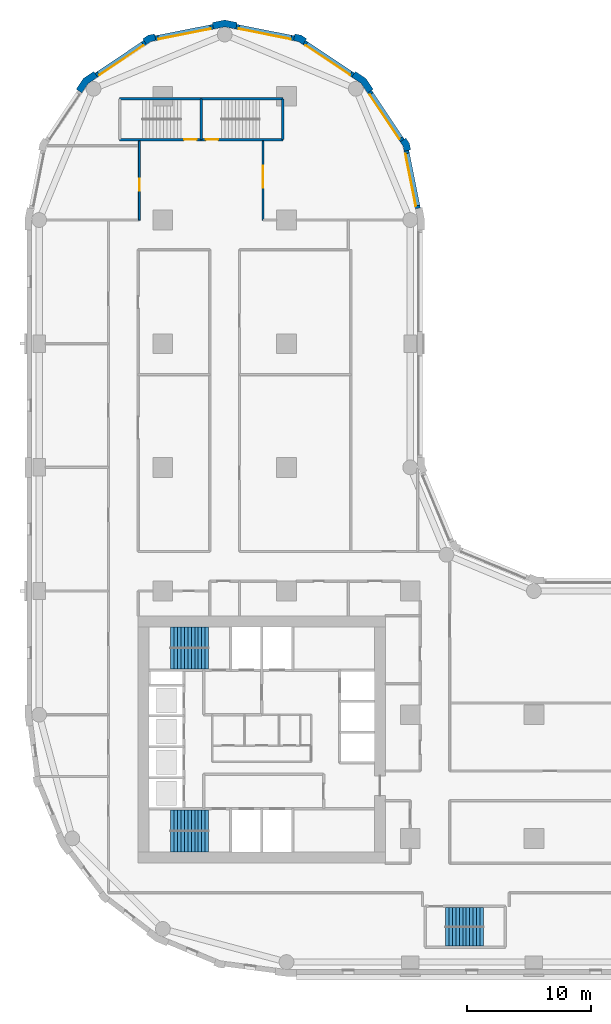
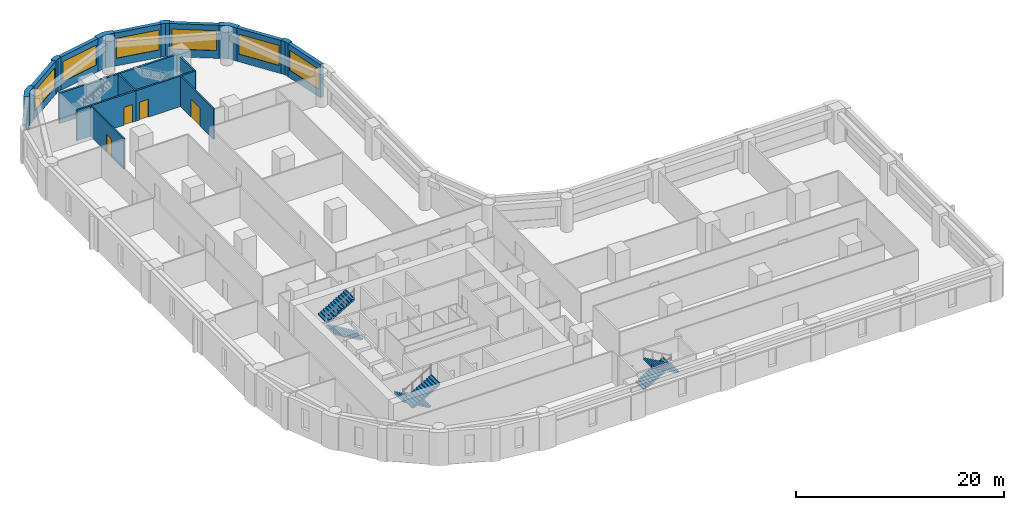
# One storey, part 7 of 10: 20 walls, 6 stair flights, 6 windows, 4 doors, 10 openings, 3 elements without a shape of their own.
"""IFC4 building model written with IfcOpenShell, lengths in metres."""

from ifc_helpers import new_model, si_unit, direction, frame, frame_2d, origin, place, context, subcontext, project, spatial, polyline, rectangle, outline, extrude, material, layer, layer_set, type_object, element, fill, aggregate, save


model = new_model("IFC4")

# Units and contexts
model_context = context("Model", 3, precision=1e-05, world=origin(), true_north=direction((0.0, 1.0)))
body_context = subcontext(model_context, "Body", "Model", "MODEL_VIEW")
ifc_project = project(units=[si_unit("LENGTHUNIT", "METRE"), si_unit("AREAUNIT", "SQUARE_METRE"), si_unit("VOLUMEUNIT", "CUBIC_METRE"), si_unit("PLANEANGLEUNIT", "RADIAN"), si_unit("MASSUNIT", "GRAM", prefix="KILO")], contexts=[model_context])

# Site, building, storey
site_placement = place(None, origin())
site = spatial("IfcSite", under=ifc_project, at=site_placement, CompositionType="ELEMENT")
building_placement = place(site_placement, origin())
building = spatial("IfcBuilding", under=site, at=building_placement, Name="Qaws Garden Tower", CompositionType="ELEMENT")
storey_placement = place(building_placement, frame((0.0, 0.0, 15.89990234375)))
storey = spatial("IfcBuildingStorey", under=building, at=storey_placement, Name="L03", CompositionType="ELEMENT", Elevation=15.89990234375)

# Wall, opening, window
ifc_material_1 = material(Name="Clay facing brick masonry", Category="masonry")
ifc_layer_1 = layer(ifc_material_1, 0.39990234375)
ifc_layer_set_1 = layer_set([ifc_layer_1], Name="Clay facing brick masonry")
wall_type_1 = type_object("IfcWallType", Name="Brick infill wall 400", PredefinedType="SOLIDWALL", material=ifc_layer_set_1)
wall_1_placement = place(storey_placement, frame((30.628662109375, 60.940673828125, 0.0), z_axis=(0.0, 0.0, 1.0), x_axis=(-0.195098533057, 0.98078364709, 0.0)))
wall_1 = element("IfcWall", 1, at=wall_1_placement, inside=storey, type_object=wall_type_1, Name="E-L03-infill-15", PredefinedType="SOLIDWALL", context=body_context, shape_type="SweptSolid", body=[
    extrude(rectangle(XDim=4.752685546875, YDim=0.39990234375, at=frame_2d((2.37646484375, 0.0))), origin(), (0.0, 0.0, 1.0), 3.900146484375),
])
opening_1_placement = place(wall_1_placement, frame((0.226318359375, 0.0, 0.89990234375)))
opening_1 = element("IfcOpeningElement", 2, at=opening_1_placement, cuts=wall_1, Name="Opening W06", PredefinedType="OPENING", context=body_context, shape_type="SweptSolid", body=[
    extrude(rectangle(XDim=4.300048828125, YDim=2.35009765625, at=frame_2d((2.14990234375, 1.175048828125))), frame((0.0, 0.2099609375, 0.0), z_axis=(0.0, -1.0, 0.0), x_axis=(1.0, 0.0, 0.0)), (0.0, 0.0, 1.0), 0.419921875),
])
ifc_material_2 = material(Name="Aluminium framed window, clear glazing", Category="aluminium")
window_type = type_object("IfcWindowType", Name="Ribbon window 4300 x 2350", PartitioningType="DOUBLE_PANEL_VERTICAL", PredefinedType="WINDOW", material=ifc_material_2)
window_1_placement = place(opening_1_placement, origin())
window_1 = element("IfcWindow", 3, at=window_1_placement, inside=storey, type_object=window_type, Name="E-L03-window-15-0", OverallHeight=2.35009765625, OverallWidth=4.300048828125, PartitioningType="SINGLE_PANEL", PredefinedType="WINDOW", context=body_context, shape_type="SweptSolid", body=[
    extrude(rectangle(XDim=4.300048828125, YDim=2.35009765625, at=frame_2d((2.14990234375, 1.175048828125))), frame((0.0, 0.159912109375, 0.0), z_axis=(0.0, -1.0, 0.0), x_axis=(1.0, 0.0, 0.0)), (0.0, 0.0, 1.0), 0.06005859375),
])
fill(opening_1, window_1)

wall_2_placement = place(storey_placement, frame((29.356689453125, 66.43408203125, 0.0), z_axis=(0.0, 0.0, 1.0), x_axis=(-0.555541552266, 0.831488775454, 0.0)))
wall_2 = element("IfcWall", 4, at=wall_2_placement, inside=storey, type_object=wall_type_1, Name="E-L03-infill-16", PredefinedType="SOLIDWALL", context=body_context, shape_type="SweptSolid", body=[
    extrude(rectangle(XDim=4.752685546875, YDim=0.39990234375, at=frame_2d((2.37646484375, 0.0))), origin(), (0.0, 0.0, 1.0), 3.900146484375),
])
opening_2_placement = place(wall_2_placement, frame((0.226318359375, 0.0, 0.89990234375)))
opening_2 = element("IfcOpeningElement", 5, at=opening_2_placement, cuts=wall_2, Name="Opening W06", PredefinedType="OPENING", context=body_context, shape_type="SweptSolid", body=[
    extrude(rectangle(XDim=4.300048828125, YDim=2.35009765625, at=frame_2d((2.14990234375, 1.175048828125))), frame((0.0, 0.2099609375, 0.0), z_axis=(0.0, -1.0, 0.0), x_axis=(1.0, 0.0, 0.0)), (0.0, 0.0, 1.0), 0.419921875),
])
window_2_placement = place(opening_2_placement, origin())
window_2 = element("IfcWindow", 6, at=window_2_placement, inside=storey, type_object=window_type, Name="E-L03-window-16-0", OverallHeight=2.35009765625, OverallWidth=4.300048828125, PartitioningType="SINGLE_PANEL", PredefinedType="WINDOW", context=body_context, shape_type="SweptSolid", body=[
    extrude(rectangle(XDim=4.300048828125, YDim=2.35009765625, at=frame_2d((2.14990234375, 1.175048828125))), frame((0.0, 0.159912109375, 0.0), z_axis=(0.0, -1.0, 0.0), x_axis=(1.0, 0.0, 0.0)), (0.0, 0.0, 1.0), 0.06005859375),
])
fill(opening_2, window_2)

wall_3_placement = place(storey_placement, frame((25.385986328125, 71.71630859375, 0.0), z_axis=(0.0, 0.0, 1.0), x_axis=(-0.831488775454, 0.555541552266, 0.0)))
wall_3 = element("IfcWall", 7, at=wall_3_placement, inside=storey, type_object=wall_type_1, Name="E-L03-infill-17", PredefinedType="SOLIDWALL", context=body_context, shape_type="SweptSolid", body=[
    extrude(rectangle(XDim=4.752685546875, YDim=0.39990234375, at=frame_2d((2.37646484375, 0.0))), origin(), (0.0, 0.0, 1.0), 3.900146484375),
])
opening_3_placement = place(wall_3_placement, frame((0.226318359375, 0.0, 0.89990234375)))
opening_3 = element("IfcOpeningElement", 8, at=opening_3_placement, cuts=wall_3, Name="Opening W06", PredefinedType="OPENING", context=body_context, shape_type="SweptSolid", body=[
    extrude(rectangle(XDim=4.300048828125, YDim=2.35009765625, at=frame_2d((2.14990234375, 1.175048828125))), frame((0.0, 0.2099609375, 0.0), z_axis=(0.0, -1.0, 0.0), x_axis=(1.0, 0.0, 0.0)), (0.0, 0.0, 1.0), 0.419921875),
])
window_3_placement = place(opening_3_placement, origin())
window_3 = element("IfcWindow", 9, at=window_3_placement, inside=storey, type_object=window_type, Name="E-L03-window-17-0", OverallHeight=2.35009765625, OverallWidth=4.300048828125, PartitioningType="SINGLE_PANEL", PredefinedType="WINDOW", context=body_context, shape_type="SweptSolid", body=[
    extrude(rectangle(XDim=4.300048828125, YDim=2.35009765625, at=frame_2d((2.14990234375, 1.175048828125))), frame((0.0, 0.159912109375, 0.0), z_axis=(0.0, -1.0, 0.0), x_axis=(1.0, 0.0, 0.0)), (0.0, 0.0, 1.0), 0.06005859375),
])
fill(opening_3, window_3)

wall_4_placement = place(storey_placement, frame((20.60205078125, 74.701416015625, 0.0), z_axis=(0.0, 0.0, 1.0), x_axis=(-0.98078364709, 0.195098533057, 0.0)))
wall_4 = element("IfcWall", 10, at=wall_4_placement, inside=storey, type_object=wall_type_1, Name="E-L03-infill-18", PredefinedType="SOLIDWALL", context=body_context, shape_type="SweptSolid", body=[
    extrude(rectangle(XDim=4.752685546875, YDim=0.39990234375, at=frame_2d((2.37646484375, 0.0))), origin(), (0.0, 0.0, 1.0), 3.900146484375),
])
opening_4_placement = place(wall_4_placement, frame((0.226318359375, 0.0, 0.89990234375)))
opening_4 = element("IfcOpeningElement", 11, at=opening_4_placement, cuts=wall_4, Name="Opening W06", PredefinedType="OPENING", context=body_context, shape_type="SweptSolid", body=[
    extrude(rectangle(XDim=4.300048828125, YDim=2.35009765625, at=frame_2d((2.14990234375, 1.175048828125))), frame((0.0, 0.2099609375, 0.0), z_axis=(0.0, -1.0, 0.0), x_axis=(1.0, 0.0, 0.0)), (0.0, 0.0, 1.0), 0.419921875),
])
window_4_placement = place(opening_4_placement, origin())
window_4 = element("IfcWindow", 12, at=window_4_placement, inside=storey, type_object=window_type, Name="E-L03-window-18-0", OverallHeight=2.35009765625, OverallWidth=4.300048828125, PartitioningType="SINGLE_PANEL", PredefinedType="WINDOW", context=body_context, shape_type="SweptSolid", body=[
    extrude(rectangle(XDim=4.300048828125, YDim=2.35009765625, at=frame_2d((2.14990234375, 1.175048828125))), frame((0.0, 0.159912109375, 0.0), z_axis=(0.0, -1.0, 0.0), x_axis=(1.0, 0.0, 0.0)), (0.0, 0.0, 1.0), 0.06005859375),
])
fill(opening_4, window_4)

wall_5_placement = place(storey_placement, frame((14.059326171875, 75.628662109375, 0.0), z_axis=(0.0, 0.0, 1.0), x_axis=(-0.98078364709, -0.195098533057, 0.0)))
wall_5 = element("IfcWall", 13, at=wall_5_placement, inside=storey, type_object=wall_type_1, Name="E-L03-infill-19", PredefinedType="SOLIDWALL", context=body_context, shape_type="SweptSolid", body=[
    extrude(rectangle(XDim=4.752685546875, YDim=0.39990234375, at=frame_2d((2.37646484375, 0.0))), origin(), (0.0, 0.0, 1.0), 3.900146484375),
])
opening_5_placement = place(wall_5_placement, frame((0.226318359375, 0.0, 0.89990234375)))
opening_5 = element("IfcOpeningElement", 14, at=opening_5_placement, cuts=wall_5, Name="Opening W06", PredefinedType="OPENING", context=body_context, shape_type="SweptSolid", body=[
    extrude(rectangle(XDim=4.300048828125, YDim=2.35009765625, at=frame_2d((2.14990234375, 1.175048828125))), frame((0.0, 0.2099609375, 0.0), z_axis=(0.0, -1.0, 0.0), x_axis=(1.0, 0.0, 0.0)), (0.0, 0.0, 1.0), 0.419921875),
])
window_5_placement = place(opening_5_placement, origin())
window_5 = element("IfcWindow", 15, at=window_5_placement, inside=storey, type_object=window_type, Name="E-L03-window-19-0", OverallHeight=2.35009765625, OverallWidth=4.300048828125, PartitioningType="SINGLE_PANEL", PredefinedType="WINDOW", context=body_context, shape_type="SweptSolid", body=[
    extrude(rectangle(XDim=4.300048828125, YDim=2.35009765625, at=frame_2d((2.14990234375, 1.175048828125))), frame((0.0, 0.159912109375, 0.0), z_axis=(0.0, -1.0, 0.0), x_axis=(1.0, 0.0, 0.0)), (0.0, 0.0, 1.0), 0.06005859375),
])
fill(opening_5, window_5)

wall_6_placement = place(storey_placement, frame((8.56591796875, 74.356689453125, 0.0), z_axis=(0.0, 0.0, 1.0), x_axis=(-0.831488775454, -0.555541552266, 0.0)))
wall_6 = element("IfcWall", 16, at=wall_6_placement, inside=storey, type_object=wall_type_1, Name="E-L03-infill-20", PredefinedType="SOLIDWALL", context=body_context, shape_type="SweptSolid", body=[
    extrude(rectangle(XDim=4.752685546875, YDim=0.39990234375, at=frame_2d((2.37646484375, 0.0))), origin(), (0.0, 0.0, 1.0), 3.900146484375),
])
opening_6_placement = place(wall_6_placement, frame((0.226318359375, 0.0, 0.89990234375)))
opening_6 = element("IfcOpeningElement", 17, at=opening_6_placement, cuts=wall_6, Name="Opening W06", PredefinedType="OPENING", context=body_context, shape_type="SweptSolid", body=[
    extrude(rectangle(XDim=4.300048828125, YDim=2.35009765625, at=frame_2d((2.14990234375, 1.175048828125))), frame((0.0, 0.2099609375, 0.0), z_axis=(0.0, -1.0, 0.0), x_axis=(1.0, 0.0, 0.0)), (0.0, 0.0, 1.0), 0.419921875),
])
window_6_placement = place(opening_6_placement, origin())
window_6 = element("IfcWindow", 18, at=window_6_placement, inside=storey, type_object=window_type, Name="E-L03-window-20-0", OverallHeight=2.35009765625, OverallWidth=4.300048828125, PartitioningType="SINGLE_PANEL", PredefinedType="WINDOW", context=body_context, shape_type="SweptSolid", body=[
    extrude(rectangle(XDim=4.300048828125, YDim=2.35009765625, at=frame_2d((2.14990234375, 1.175048828125))), frame((0.0, 0.159912109375, 0.0), z_axis=(0.0, -1.0, 0.0), x_axis=(1.0, 0.0, 0.0)), (0.0, 0.0, 1.0), 0.06005859375),
])
fill(opening_6, window_6)

# Walls
ifc_material_3 = material(Name="Clay facing brick masonry", Category="masonry")
ifc_layer_2 = layer(ifc_material_3, 0.550048828125)
ifc_layer_set_2 = layer_set([ifc_layer_2], Name="Clay facing brick masonry")
wall_type_2 = type_object("IfcWallType", Name="Brick kink pier 550 x 600", PredefinedType="SOLIDWALL", material=ifc_layer_set_2)
placement = place(storey_placement, origin())
element("IfcWall", 19, at=placement, inside=storey, type_object=wall_type_2, Name="E-L03-pier-16", PredefinedType="SOLIDWALL", context=body_context, shape_type="SweptSolid", body=[
    extrude(outline(polyline([(29.8974609375, 65.64111328125), (30.044677734375, 65.67041015625), (29.94140625, 66.18896484375), (29.647705078125, 66.628662109375), (29.52294921875, 66.545166015625), (29.1904296875, 66.322998046875), (29.42333984375, 65.974365234375), (29.505126953125, 65.56298828125), (29.8974609375, 65.64111328125)])), origin(), (0.0, 0.0, 1.0), 3.900146484375),
])
element("IfcWall", 20, at=placement, inside=storey, type_object=wall_type_2, Name="E-L03-pier-18", PredefinedType="SOLIDWALL", context=body_context, shape_type="SweptSolid", body=[
    extrude(outline(polyline([(21.545166015625, 74.52294921875), (21.628662109375, 74.647705078125), (21.18896484375, 74.94140625), (20.67041015625, 75.044677734375), (20.64111328125, 74.8974609375), (20.56298828125, 74.505126953125), (20.974365234375, 74.42333984375), (21.322998046875, 74.1904296875), (21.545166015625, 74.52294921875)])), origin(), (0.0, 0.0, 1.0), 3.900146484375),
])
element("IfcWall", 21, at=placement, inside=storey, type_object=wall_type_2, Name="E-L03-pier-20", PredefinedType="SOLIDWALL", context=body_context, shape_type="SweptSolid", body=[
    extrude(outline(polyline([(9.35888671875, 74.8974609375), (9.32958984375, 75.044677734375), (8.81103515625, 74.94140625), (8.371337890625, 74.647705078125), (8.454833984375, 74.52294921875), (8.677001953125, 74.1904296875), (9.025634765625, 74.42333984375), (9.43701171875, 74.505126953125), (9.35888671875, 74.8974609375)])), origin(), (0.0, 0.0, 1.0), 3.900146484375),
])
ifc_material_4 = material(Name="Clay facing brick masonry", Category="masonry")
ifc_layer_3 = layer(ifc_material_4, 0.550048828125)
ifc_layer_set_3 = layer_set([ifc_layer_3], Name="Clay facing brick masonry")
wall_type_3 = type_object("IfcWallType", Name="Brick pier 550 x 1600", PredefinedType="SOLIDWALL", material=ifc_layer_set_3)
element("IfcWall", 22, at=placement, inside=storey, type_object=wall_type_3, Name="E-L03-pier-17", PredefinedType="SOLIDWALL", context=body_context, shape_type="SweptSolid", body=[
    extrude(outline(polyline([(26.882568359375, 70.4970703125), (27.00732421875, 70.580322265625), (26.435791015625, 71.435791015625), (25.580322265625, 72.00732421875), (25.4970703125, 71.882568359375), (25.274658203125, 71.550048828125), (26.0390625, 71.0390625), (26.550048828125, 70.274658203125), (26.882568359375, 70.4970703125)])), origin(), (0.0, 0.0, 1.0), 3.900146484375),
])
element("IfcWall", 23, at=placement, inside=storey, type_object=wall_type_3, Name="E-L03-pier-19", PredefinedType="SOLIDWALL", context=body_context, shape_type="SweptSolid", body=[
    extrude(outline(polyline([(15.979736328125, 75.82470703125), (16.009033203125, 75.971923828125), (15.0, 76.172607421875), (13.990966796875, 75.971923828125), (14.020263671875, 75.82470703125), (14.098388671875, 75.432373046875), (15.0, 75.61181640625), (15.901611328125, 75.432373046875), (15.979736328125, 75.82470703125)])), origin(), (0.0, 0.0, 1.0), 3.900146484375),
])
element("IfcWall", 24, at=placement, inside=storey, type_object=wall_type_3, Name="E-L03-pier-21", PredefinedType="SOLIDWALL", context=body_context, shape_type="SweptSolid", body=[
    extrude(outline(polyline([(4.5029296875, 71.882568359375), (4.419677734375, 72.00732421875), (3.564208984375, 71.435791015625), (2.99267578125, 70.580322265625), (3.117431640625, 70.4970703125), (3.449951171875, 70.274658203125), (3.9609375, 71.0390625), (4.725341796875, 71.550048828125), (4.5029296875, 71.882568359375)])), origin(), (0.0, 0.0, 1.0), 3.900146484375),
])

# Wall, opening, door
ifc_material_5 = material(Name="Concrete C80", Category="concrete")
ifc_layer_4 = layer(ifc_material_5, 0.199951171875)
ifc_layer_set_4 = layer_set([ifc_layer_4], Name="Concrete C80")
wall_type_4 = type_object("IfcWallType", Name="Core shaft wall 200 C80", PredefinedType="SHEAR", material=ifc_layer_set_4)
wall_13_placement = place(storey_placement, frame((6.5, 66.5, 0.0), z_axis=(0.0, 0.0, 1.0), x_axis=(1.0, 0.0, 0.0)))
wall_13 = element("IfcWall", 25, at=wall_13_placement, inside=storey, type_object=wall_type_4, Name="Shaft wall", PredefinedType="SHEAR", context=body_context, shape_type="SweptSolid", body=[
    extrude(rectangle(XDim=6.60009765625, YDim=0.199951171875, at=frame_2d((3.300048828125, 0.0))), origin(), (0.0, 0.0, 1.0), 3.580078125),
])
opening_7_placement = place(wall_13_placement, frame((5.22509765625, 0.0, 0.0)))
opening_7 = element("IfcOpeningElement", 26, at=opening_7_placement, cuts=wall_13, Name="Opening SD13", PredefinedType="OPENING", context=body_context, shape_type="SweptSolid", body=[
    extrude(rectangle(XDim=1.0, YDim=2.10009765625, at=frame_2d((0.5, 1.050048828125))), frame((0.0, 0.10986328125, 0.0), z_axis=(0.0, -1.0, 0.0), x_axis=(1.0, 0.0, 0.0)), (0.0, 0.0, 1.0), 0.219970703125),
])
ifc_material_6 = material(Name="Steel S235", Category="steel")
door_type_1 = type_object("IfcDoorType", Name="Stair door 1000x2100", OperationType="SINGLE_SWING_RIGHT", PredefinedType="DOOR", material=ifc_material_6)
door_1_placement = place(opening_7_placement, origin())
door_1 = element("IfcDoor", 27, at=door_1_placement, inside=storey, type_object=door_type_1, Name="Stair 6 door", OperationType="SINGLE_SWING_RIGHT", OverallHeight=2.10009765625, OverallWidth=1.0, PredefinedType="DOOR", context=body_context, shape_type="SweptSolid", body=[
    extrude(rectangle(XDim=1.0, YDim=2.10009765625, at=frame_2d((0.5, 1.050048828125))), frame((0.0, 0.02490234375, 0.0), z_axis=(0.0, -1.0, 0.0), x_axis=(1.0, 0.0, 0.0)), (0.0, 0.0, 1.0), 0.050048828125),
])
fill(opening_7, door_1)

wall_14_placement = place(storey_placement, frame((13.10009765625, 66.5, 0.0), z_axis=(0.0, 0.0, 1.0), x_axis=(1.0, 0.0, 0.0)))
wall_14 = element("IfcWall", 28, at=wall_14_placement, inside=storey, type_object=wall_type_4, Name="Shaft wall", PredefinedType="SHEAR", context=body_context, shape_type="SweptSolid", body=[
    extrude(rectangle(XDim=6.599853515625, YDim=0.199951171875, at=frame_2d((3.2998046875, 0.0))), origin(), (0.0, 0.0, 1.0), 3.580078125),
])
opening_8_placement = place(wall_14_placement, frame((0.375, 0.0, 0.0)))
opening_8 = element("IfcOpeningElement", 29, at=opening_8_placement, cuts=wall_14, Name="Opening SD14", PredefinedType="OPENING", context=body_context, shape_type="SweptSolid", body=[
    extrude(rectangle(XDim=1.0, YDim=2.10009765625, at=frame_2d((0.5, 1.050048828125))), frame((0.0, 0.10986328125, 0.0), z_axis=(0.0, -1.0, 0.0), x_axis=(1.0, 0.0, 0.0)), (0.0, 0.0, 1.0), 0.219970703125),
])
door_2_placement = place(opening_8_placement, origin())
door_2 = element("IfcDoor", 30, at=door_2_placement, inside=storey, type_object=door_type_1, Name="Stair 7 door", OperationType="SINGLE_SWING_LEFT", OverallHeight=2.10009765625, OverallWidth=1.0, PredefinedType="DOOR", context=body_context, shape_type="SweptSolid", body=[
    extrude(rectangle(XDim=1.0, YDim=2.10009765625, at=frame_2d((0.5, 1.050048828125))), frame((0.0, 0.02490234375, 0.0), z_axis=(0.0, -1.0, 0.0), x_axis=(1.0, 0.0, 0.0)), (0.0, 0.0, 1.0), 0.050048828125),
])
fill(opening_8, door_2)

# Walls
wall_15_placement = place(storey_placement, frame((6.5, 69.800048828125, 0.0), z_axis=(0.0, 0.0, 1.0), x_axis=(1.0, 0.0, 0.0)))
element("IfcWall", 31, at=wall_15_placement, inside=storey, type_object=wall_type_4, Name="Shaft wall", PredefinedType="SHEAR", context=body_context, shape_type="SweptSolid", body=[
    extrude(rectangle(XDim=6.60009765625, YDim=0.199951171875, at=frame_2d((3.300048828125, 0.0))), origin(), (0.0, 0.0, 1.0), 3.580078125),
])
wall_16_placement = place(storey_placement, frame((13.10009765625, 69.800048828125, 0.0), z_axis=(0.0, 0.0, 1.0), x_axis=(1.0, 0.0, 0.0)))
element("IfcWall", 32, at=wall_16_placement, inside=storey, type_object=wall_type_4, Name="Shaft wall", PredefinedType="SHEAR", context=body_context, shape_type="SweptSolid", body=[
    extrude(rectangle(XDim=6.599853515625, YDim=0.199951171875, at=frame_2d((3.2998046875, 0.0))), origin(), (0.0, 0.0, 1.0), 3.580078125),
])
for number, where, z_axis, x_axis, name in (
    (33, (13.10009765625, 66.5, 0.0), (0.0, 0.0, 1.0), (0.0, 1.0, 0.0), "Shaft wall"),
    (34, (19.699951171875, 66.5, 0.0), (0.0, 0.0, 1.0), (0.0, 1.0, 0.0), "Shaft wall"),
):
    element("IfcWall", number, at=place(storey_placement, frame(where, z_axis=z_axis, x_axis=x_axis)), inside=storey, type_object=wall_type_4, Name=name, PredefinedType="SHEAR", context=body_context, shape_type="SweptSolid", body=[
        extrude(rectangle(XDim=3.300048828125, YDim=0.199951171875, at=frame_2d((1.64990234375, 0.0))), origin(), (0.0, 0.0, 1.0), 3.580078125),
    ])

# Wall, opening, door
ifc_material_7 = material(Name="Gypsum board partition")
ifc_layer_5 = layer(ifc_material_7, 0.14990234375)
ifc_layer_set_5 = layer_set([ifc_layer_5], Name="Gypsum board partition")
wall_type_5 = type_object("IfcWallType", Name="PARTITION 150 EI 60", PredefinedType="PARTITIONING", material=ifc_layer_set_5)
wall_17_placement = place(storey_placement, frame((8.10009765625, 60.0, 0.0), z_axis=(0.0, 0.0, 1.0), x_axis=(0.0, 1.0, 0.0)))
wall_17 = element("IfcWall", 35, at=wall_17_placement, inside=storey, type_object=wall_type_5, Name="O-L03-wall-005", PredefinedType="PARTITIONING", context=body_context, shape_type="SweptSolid", body=[
    extrude(rectangle(XDim=6.39990234375, YDim=0.14990234375, at=frame_2d((3.199951171875, 0.0))), origin(), (0.0, 0.0, 1.0), 3.580078125),
])
opening_9_placement = place(wall_17_placement, frame((2.35009765625, 0.0, 0.0)))
opening_9 = element("IfcOpeningElement", 36, at=opening_9_placement, cuts=wall_17, Name="Opening A116", PredefinedType="OPENING", context=body_context, shape_type="SweptSolid", body=[
    extrude(rectangle(XDim=1.0, YDim=2.10009765625, at=frame_2d((0.5, 1.050048828125))), frame((0.0, 0.0849609375, 0.0), z_axis=(0.0, -1.0, 0.0), x_axis=(1.0, 0.0, 0.0)), (0.0, 0.0, 1.0), 0.169921875),
])
ifc_material_8 = material(Name="Timber door leaf", Category="wood")
door_type_2 = type_object("IfcDoorType", Name="TENANCY ENTRANCE DOOR 1000 X 2100", OperationType="SINGLE_SWING_LEFT", PredefinedType="DOOR", material=ifc_material_8)
door_3_placement = place(opening_9_placement, origin())
door_3 = element("IfcDoor", 37, at=door_3_placement, inside=storey, type_object=door_type_2, Name="O-L03-door-016", OperationType="SINGLE_SWING_LEFT", OverallHeight=2.10009765625, OverallWidth=1.0, PredefinedType="DOOR", context=body_context, shape_type="SweptSolid", body=[
    extrude(rectangle(XDim=1.0, YDim=2.10009765625, at=frame_2d((0.5, 1.050048828125))), frame((0.0, 0.02490234375, 0.0), z_axis=(0.0, -1.0, 0.0), x_axis=(1.0, 0.0, 0.0)), (0.0, 0.0, 1.0), 0.050048828125),
])
fill(opening_9, door_3)

wall_18_placement = place(storey_placement, frame((18.10009765625, 60.0, 0.0), z_axis=(0.0, 0.0, 1.0), x_axis=(0.0, 1.0, 0.0)))
wall_18 = element("IfcWall", 38, at=wall_18_placement, inside=storey, type_object=wall_type_5, Name="O-L03-wall-010", PredefinedType="PARTITIONING", context=body_context, shape_type="SweptSolid", body=[
    extrude(rectangle(XDim=6.39990234375, YDim=0.14990234375, at=frame_2d((3.199951171875, 0.0))), origin(), (0.0, 0.0, 1.0), 3.580078125),
])
opening_10_placement = place(wall_18_placement, frame((2.60009765625, 0.0, 0.0)))
opening_10 = element("IfcOpeningElement", 39, at=opening_10_placement, cuts=wall_18, Name="Opening A117", PredefinedType="OPENING", context=body_context, shape_type="SweptSolid", body=[
    extrude(rectangle(XDim=1.800048828125, YDim=2.10009765625, at=frame_2d((0.89990234375, 1.050048828125))), frame((0.0, 0.0849609375, 0.0), z_axis=(0.0, -1.0, 0.0), x_axis=(1.0, 0.0, 0.0)), (0.0, 0.0, 1.0), 0.169921875),
])
ifc_material_9 = material(Name="Timber door leaf", Category="wood")
door_type_3 = type_object("IfcDoorType", Name="DOUBLE DOOR 1800 X 2100", OperationType="DOUBLE_DOOR_SINGLE_SWING", PredefinedType="DOOR", material=ifc_material_9)
door_4_placement = place(opening_10_placement, frame((1.800048828125, 0.0, 0.0), z_axis=(0.0, 0.0, 1.0), x_axis=(-1.0, 0.0, 0.0)))
door_4 = element("IfcDoor", 40, at=door_4_placement, inside=storey, type_object=door_type_3, Name="O-L03-door-017", OperationType="DOUBLE_DOOR_SINGLE_SWING", OverallHeight=2.10009765625, OverallWidth=1.800048828125, PredefinedType="DOOR", context=body_context, shape_type="SweptSolid", body=[
    extrude(rectangle(XDim=1.800048828125, YDim=2.10009765625, at=frame_2d((0.89990234375, 1.050048828125))), frame((0.0, 0.02490234375, 0.0), z_axis=(0.0, -1.0, 0.0), x_axis=(1.0, 0.0, 0.0)), (0.0, 0.0, 1.0), 0.050048828125),
])
fill(opening_10, door_4)

# Stair, stair flights
ifc_material_10 = material(Name="Concrete C40", Category="concrete")
stair_type_1 = type_object("IfcStairType", Name="Exit stair 1350", PredefinedType="HALF_TURN_STAIR", material=ifc_material_10)
stair_1 = element("IfcStair", 41, at=placement, inside=storey, type_object=stair_type_1, Name="Stair 5", PredefinedType="HALF_TURN_STAIR")
ifc_material_11 = material(Name="Concrete C40", Category="concrete")
stair_flight_type_1 = type_object("IfcStairFlightType", Name="Stair flight 1350", PredefinedType="STRAIGHT", material=ifc_material_11)
stair_flight_1_placement = place(storey_placement, frame((32.85009765625, 3.625, 0.0), z_axis=(0.0, 0.0, 1.0), x_axis=(1.0, 0.0, 0.0)))
stair_flight_1 = element("IfcStairFlight", 42, at=stair_flight_1_placement, type_object=stair_flight_type_1, Name="ST5 flight 1", NumberOfRisers=12, NumberOfTreads=11, PredefinedType="STRAIGHT", RiserHeight=0.1625, TreadLength=0.28, context=body_context, shape_type="SweptSolid", body=[
    extrude(outline(polyline([(-0.0029296875, 0.0), (-0.0029296875, 0.16259765625), (0.0, 0.16259765625), (0.280029296875, 0.16259765625), (0.280029296875, 0.324951171875), (0.56005859375, 0.324951171875), (0.56005859375, 0.487548828125), (0.840087890625, 0.487548828125), (0.840087890625, 0.64990234375), (1.1201171875, 0.64990234375), (1.1201171875, 0.8125), (1.39990234375, 0.8125), (1.39990234375, 0.97509765625), (1.679931640625, 0.97509765625), (1.679931640625, 1.137451171875), (1.9599609375, 1.137451171875), (1.9599609375, 1.300048828125), (2.239990234375, 1.300048828125), (2.239990234375, 1.46240234375), (2.52001953125, 1.46240234375), (2.52001953125, 1.625), (2.800048828125, 1.625), (2.800048828125, 1.78759765625), (3.080078125, 1.78759765625), (3.080078125, 1.949951171875), (3.0830078125, 1.949951171875), (3.0830078125, 1.6142578125), (3.080078125, 1.6142578125), (0.298583984375, 0.0), (-0.0029296875, 0.0)])), frame((0.0, 0.77490234375, 0.0), z_axis=(0.0, -1.0, 0.0), x_axis=(1.0, 0.0, 0.0)), (0.0, 0.0, 1.0), 1.550048828125),
])
stair_flight_2_placement = place(storey_placement, frame((35.929931640625, 2.074951171875, 1.9501953125), z_axis=(0.0, 0.0, 1.0), x_axis=(-1.0, 0.0, 0.0)))
stair_flight_2 = element("IfcStairFlight", 43, at=stair_flight_2_placement, type_object=stair_flight_type_1, Name="ST5 flight 2", NumberOfRisers=12, NumberOfTreads=11, PredefinedType="STRAIGHT", RiserHeight=0.1625, TreadLength=0.28, context=body_context, shape_type="SweptSolid", body=[
    extrude(outline(polyline([(-0.0029296875, 0.0), (-0.0029296875, 0.16259765625), (0.0, 0.16259765625), (0.280029296875, 0.16259765625), (0.280029296875, 0.324951171875), (0.56005859375, 0.324951171875), (0.56005859375, 0.487548828125), (0.840087890625, 0.487548828125), (0.840087890625, 0.64990234375), (1.1201171875, 0.64990234375), (1.1201171875, 0.8125), (1.39990234375, 0.8125), (1.39990234375, 0.97509765625), (1.679931640625, 0.97509765625), (1.679931640625, 1.137451171875), (1.9599609375, 1.137451171875), (1.9599609375, 1.300048828125), (2.239990234375, 1.300048828125), (2.239990234375, 1.46240234375), (2.52001953125, 1.46240234375), (2.52001953125, 1.625), (2.800048828125, 1.625), (2.800048828125, 1.78759765625), (3.080078125, 1.78759765625), (3.080078125, 1.949951171875), (3.0830078125, 1.949951171875), (3.0830078125, 1.6142578125), (3.080078125, 1.6142578125), (0.298583984375, 0.0), (-0.0029296875, 0.0)])), frame((0.0, 0.77490234375, 0.0), z_axis=(0.0, -1.0, 0.0), x_axis=(1.0, 0.0, 0.0)), (0.0, 0.0, 1.0), 1.550048828125),
])
aggregate(stair_1, [stair_flight_1, stair_flight_2])

ifc_material_12 = material(Name="Concrete C40", Category="concrete")
stair_type_2 = type_object("IfcStairType", Name="Exit stair 1500", PredefinedType="HALF_TURN_STAIR", material=ifc_material_12)
stair_2 = element("IfcStair", 44, at=placement, inside=storey, type_object=stair_type_2, Name="Stair 1", PredefinedType="HALF_TURN_STAIR")
ifc_material_13 = material(Name="Concrete C40", Category="concrete")
stair_flight_type_2 = type_object("IfcStairFlightType", Name="Stair flight 1500", PredefinedType="STRAIGHT", material=ifc_material_13)
stair_flight_3_placement = place(storey_placement, frame((13.699951171875, 11.449951171875, 0.0), z_axis=(0.0, 0.0, 1.0), x_axis=(-1.0, 0.0, 0.0)))
stair_flight_3 = element("IfcStairFlight", 45, at=stair_flight_3_placement, type_object=stair_flight_type_2, Name="ST1 flight 1", NumberOfRisers=12, NumberOfTreads=11, PredefinedType="STRAIGHT", RiserHeight=0.1625, TreadLength=0.28, context=body_context, shape_type="SweptSolid", body=[
    extrude(outline(polyline([(-0.0029296875, 0.0), (-0.0029296875, 0.16259765625), (0.0, 0.16259765625), (0.280029296875, 0.16259765625), (0.280029296875, 0.324951171875), (0.56005859375, 0.324951171875), (0.56005859375, 0.487548828125), (0.840087890625, 0.487548828125), (0.840087890625, 0.64990234375), (1.1201171875, 0.64990234375), (1.1201171875, 0.8125), (1.39990234375, 0.8125), (1.39990234375, 0.97509765625), (1.679931640625, 0.97509765625), (1.679931640625, 1.137451171875), (1.9599609375, 1.137451171875), (1.9599609375, 1.300048828125), (2.239990234375, 1.300048828125), (2.239990234375, 1.46240234375), (2.52001953125, 1.46240234375), (2.52001953125, 1.625), (2.800048828125, 1.625), (2.800048828125, 1.78759765625), (3.080078125, 1.78759765625), (3.080078125, 1.949951171875), (3.0830078125, 1.949951171875), (3.0830078125, 1.6142578125), (3.080078125, 1.6142578125), (0.298583984375, 0.0), (-0.0029296875, 0.0)])), frame((0.0, 0.85009765625, 0.0), z_axis=(0.0, -1.0, 0.0), x_axis=(1.0, 0.0, 0.0)), (0.0, 0.0, 1.0), 1.699951171875),
])
stair_flight_4_placement = place(storey_placement, frame((10.6201171875, 9.75, 1.9501953125), z_axis=(0.0, 0.0, 1.0), x_axis=(1.0, 0.0, 0.0)))
stair_flight_4 = element("IfcStairFlight", 46, at=stair_flight_4_placement, type_object=stair_flight_type_2, Name="ST1 flight 2", NumberOfRisers=12, NumberOfTreads=11, PredefinedType="STRAIGHT", RiserHeight=0.1625, TreadLength=0.28, context=body_context, shape_type="SweptSolid", body=[
    extrude(outline(polyline([(-0.0029296875, 0.0), (-0.0029296875, 0.16259765625), (0.0, 0.16259765625), (0.280029296875, 0.16259765625), (0.280029296875, 0.324951171875), (0.56005859375, 0.324951171875), (0.56005859375, 0.487548828125), (0.840087890625, 0.487548828125), (0.840087890625, 0.64990234375), (1.1201171875, 0.64990234375), (1.1201171875, 0.8125), (1.39990234375, 0.8125), (1.39990234375, 0.97509765625), (1.679931640625, 0.97509765625), (1.679931640625, 1.137451171875), (1.9599609375, 1.137451171875), (1.9599609375, 1.300048828125), (2.239990234375, 1.300048828125), (2.239990234375, 1.46240234375), (2.52001953125, 1.46240234375), (2.52001953125, 1.625), (2.800048828125, 1.625), (2.800048828125, 1.78759765625), (3.080078125, 1.78759765625), (3.080078125, 1.949951171875), (3.0830078125, 1.949951171875), (3.0830078125, 1.6142578125), (3.080078125, 1.6142578125), (0.298583984375, 0.0), (-0.0029296875, 0.0)])), frame((0.0, 0.85009765625, 0.0), z_axis=(0.0, -1.0, 0.0), x_axis=(1.0, 0.0, 0.0)), (0.0, 0.0, 1.0), 1.699951171875),
])
aggregate(stair_2, [stair_flight_3, stair_flight_4])

stair_3 = element("IfcStair", 47, at=placement, inside=storey, type_object=stair_type_2, Name="Stair 4", PredefinedType="HALF_TURN_STAIR")
stair_flight_5_placement = place(storey_placement, frame((13.699951171875, 24.550048828125, 0.0), z_axis=(0.0, 0.0, 1.0), x_axis=(-1.0, 0.0, 0.0)))
stair_flight_5 = element("IfcStairFlight", 48, at=stair_flight_5_placement, type_object=stair_flight_type_2, Name="ST4 flight 1", NumberOfRisers=12, NumberOfTreads=11, PredefinedType="STRAIGHT", RiserHeight=0.1625, TreadLength=0.28, context=body_context, shape_type="SweptSolid", body=[
    extrude(outline(polyline([(-0.0029296875, 0.0), (-0.0029296875, 0.16259765625), (0.0, 0.16259765625), (0.280029296875, 0.16259765625), (0.280029296875, 0.324951171875), (0.56005859375, 0.324951171875), (0.56005859375, 0.487548828125), (0.840087890625, 0.487548828125), (0.840087890625, 0.64990234375), (1.1201171875, 0.64990234375), (1.1201171875, 0.8125), (1.39990234375, 0.8125), (1.39990234375, 0.97509765625), (1.679931640625, 0.97509765625), (1.679931640625, 1.137451171875), (1.9599609375, 1.137451171875), (1.9599609375, 1.300048828125), (2.239990234375, 1.300048828125), (2.239990234375, 1.46240234375), (2.52001953125, 1.46240234375), (2.52001953125, 1.625), (2.800048828125, 1.625), (2.800048828125, 1.78759765625), (3.080078125, 1.78759765625), (3.080078125, 1.949951171875), (3.0830078125, 1.949951171875), (3.0830078125, 1.6142578125), (3.080078125, 1.6142578125), (0.298583984375, 0.0), (-0.0029296875, 0.0)])), frame((0.0, 0.844970703125, 0.0), z_axis=(0.0, -1.0, 0.0), x_axis=(1.0, 0.0, 0.0)), (0.0, 0.0, 1.0), 1.68994140625),
])
stair_flight_6_placement = place(storey_placement, frame((10.6201171875, 26.25, 1.9501953125), z_axis=(0.0, 0.0, 1.0), x_axis=(1.0, 0.0, 0.0)))
stair_flight_6 = element("IfcStairFlight", 49, at=stair_flight_6_placement, type_object=stair_flight_type_2, Name="ST4 flight 2", NumberOfRisers=12, NumberOfTreads=11, PredefinedType="STRAIGHT", RiserHeight=0.1625, TreadLength=0.28, context=body_context, shape_type="SweptSolid", body=[
    extrude(outline(polyline([(-0.0029296875, 0.0), (-0.0029296875, 0.16259765625), (0.0, 0.16259765625), (0.280029296875, 0.16259765625), (0.280029296875, 0.324951171875), (0.56005859375, 0.324951171875), (0.56005859375, 0.487548828125), (0.840087890625, 0.487548828125), (0.840087890625, 0.64990234375), (1.1201171875, 0.64990234375), (1.1201171875, 0.8125), (1.39990234375, 0.8125), (1.39990234375, 0.97509765625), (1.679931640625, 0.97509765625), (1.679931640625, 1.137451171875), (1.9599609375, 1.137451171875), (1.9599609375, 1.300048828125), (2.239990234375, 1.300048828125), (2.239990234375, 1.46240234375), (2.52001953125, 1.46240234375), (2.52001953125, 1.625), (2.800048828125, 1.625), (2.800048828125, 1.78759765625), (3.080078125, 1.78759765625), (3.080078125, 1.949951171875), (3.0830078125, 1.949951171875), (3.0830078125, 1.6142578125), (3.080078125, 1.6142578125), (0.298583984375, 0.0), (-0.0029296875, 0.0)])), frame((0.0, 0.844970703125, 0.0), z_axis=(0.0, -1.0, 0.0), x_axis=(1.0, 0.0, 0.0)), (0.0, 0.0, 1.0), 1.68994140625),
])
aggregate(stair_3, [stair_flight_5, stair_flight_6])

save(model, "model.ifc")
